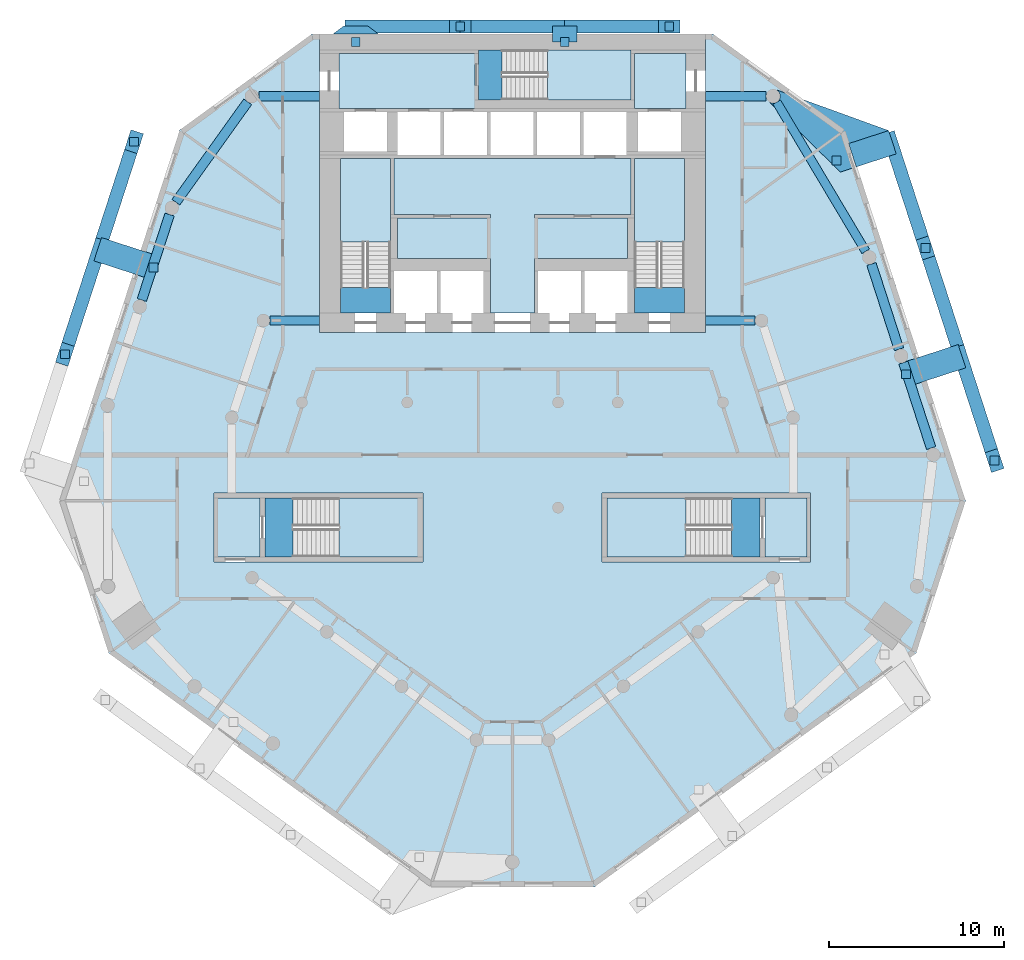
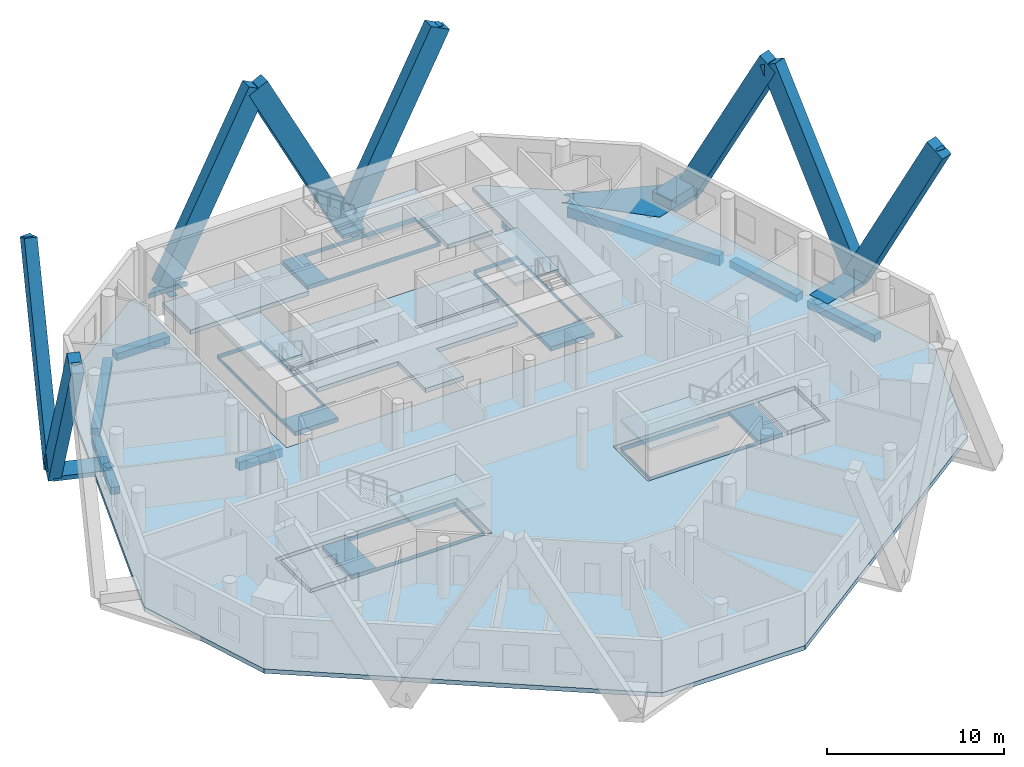
# One storey, part 2 of 10: 16 slabs, 14 members, 11 discrete accessories, 9 beams, 5 elements without a shape of their own.
"""IFC4 building model written with IfcOpenShell, lengths in metres."""

import ifcopenshell
import ifcopenshell.guid

model = None  # the IFC model being written
_history = None  # IfcOwnerHistory: only IFC2X3 demands one
_inside = {}  # id of a spatial element -> (the spatial element, [elements in it])
_under = {}  # id of a project, library or spatial element -> (it, [spatial elements below it])
_declared = {}  # id of a project -> (the project, [libraries it declares])
_typed = {}  # id of a type object -> (the type object, [elements of that type])
_made_of = {}  # id of a material, layer set ... -> (it, [elements and type objects made of it])


def new_model(schema):
    """Start an empty IFC model of exactly this schema.

    Asked for "IFC4X3", IfcOpenShell would pick the latest addendum, in which some entities
    have other attributes; the version numbers below select the first issue.
    IFC2X3 requires an IfcOwnerHistory on every rooted entity: one is made here for all.
    """
    global model, _history
    if schema == "IFC4X3":
        model = ifcopenshell.file(schema_version=(4, 3, 0, 0))
    else:
        model = ifcopenshell.file(schema=schema)
    _inside.clear()
    _under.clear()
    _declared.clear()
    _typed.clear()
    _made_of.clear()
    _history = None
    if model.schema == "IFC2X3":
        org = make("IfcOrganization", Name="unknown")
        user = make(
            "IfcPersonAndOrganization",
            ThePerson=make("IfcPerson", FamilyName="unknown"),
            TheOrganization=org,
        )
        app = make(
            "IfcApplication",
            ApplicationDeveloper=org,
            Version="unknown",
            ApplicationFullName="unknown",
            ApplicationIdentifier="unknown",
        )
        _history = make(
            "IfcOwnerHistory",
            OwningUser=user,
            OwningApplication=app,
            ChangeAction="ADDED",
            CreationDate=0,
        )
    return model


def make(cls, **values):
    """One entity of the class cls with the attributes given. An attribute that is None is left unset."""
    return model.create_entity(
        cls, **{name: value for name, value in values.items() if value is not None}
    )


def rooted(cls, **values):
    """An entity with a GlobalId (a new one), such as an element, a storey or a relation."""
    return make(cls, GlobalId=ifcopenshell.guid.new(), OwnerHistory=_history, **values)


def si_unit(unit_type, name, prefix=None):
    """IfcSIUnit, for example si_unit("LENGTHUNIT", "METRE", prefix="MILLI")."""
    return make("IfcSIUnit", UnitType=unit_type, Prefix=prefix, Name=name)


def assignment(units):
    """IfcUnitAssignment: the units of a project."""
    return None if units is None else make("IfcUnitAssignment", Units=units)


def point(xyz):
    """IfcCartesianPoint."""
    return None if xyz is None else make("IfcCartesianPoint", Coordinates=xyz)


def direction(xyz):
    """IfcDirection."""
    return None if xyz is None else make("IfcDirection", DirectionRatios=xyz)


def frame(location, z_axis=None, x_axis=None):
    """IfcAxis2Placement3D, a coordinate frame: its origin and axes. An axis left out is left unset."""
    return make(
        "IfcAxis2Placement3D",
        Location=point(location),
        Axis=direction(z_axis),
        RefDirection=direction(x_axis),
    )


def frame_2d(location, x_axis=None):
    """IfcAxis2Placement2D, a coordinate frame in the plane: its origin and x axis."""
    return make(
        "IfcAxis2Placement2D", Location=point(location), RefDirection=direction(x_axis)
    )


def origin():
    """The frame at (0, 0, 0) with its axes left unset."""
    return frame((0.0, 0.0, 0.0))


def origin_2d():
    """The frame at (0, 0) in the plane with its x axis left unset."""
    return frame_2d((0.0, 0.0))


def place(relative_to, where):
    """IfcLocalPlacement: puts the frame where relative to a parent placement (None: the world)."""
    return make(
        "IfcLocalPlacement", PlacementRelTo=relative_to, RelativePlacement=where
    )


def context(
    kind, dimensions, precision=None, world=None, true_north=None, identifier=None
):
    """IfcGeometricRepresentationContext, for example the 3D "Model" context."""
    return make(
        "IfcGeometricRepresentationContext",
        ContextIdentifier=identifier,
        ContextType=kind,
        CoordinateSpaceDimension=dimensions,
        Precision=precision,
        WorldCoordinateSystem=world,
        TrueNorth=true_north,
    )


def subcontext(parent, identifier, kind, view, scale=None):
    """IfcGeometricRepresentationSubContext, for example "Body" below "Model"."""
    return make(
        "IfcGeometricRepresentationSubContext",
        ContextIdentifier=identifier,
        ContextType=kind,
        ParentContext=parent,
        TargetScale=scale,
        TargetView=view,
    )


def project(units=None, contexts=None):
    """IfcProject with its units and contexts."""
    return rooted(
        "IfcProject",
        Name="project",
        RepresentationContexts=contexts,
        UnitsInContext=assignment(units),
    )


def spatial(cls, under=None, at=None, **own):
    """A site, building, storey or space (cls), placed at a placement, below another one or the project."""
    s = rooted(cls, ObjectPlacement=at, **own)
    if under is not None:
        _under.setdefault(under.id(), (under, []))[1].append(s)
    return s


def polyline(points):
    """IfcPolyline through the points."""
    return make("IfcPolyline", Points=[point(p) for p in points])


def profile(cls, at=None, kind="AREA", **sizes):
    """A parametric profile (cls). Its sizes go by their IFC names, for example OverallWidth=200.0."""
    return make(cls, ProfileType=kind, Position=at, **sizes)


def rectangle(**sizes):
    """IfcRectangleProfileDef."""
    return profile("IfcRectangleProfileDef", **sizes)


def outline(outer, holes=None, kind="AREA"):
    """IfcArbitraryClosedProfileDef: a profile drawn as a closed curve; with holes, ...WithVoids."""
    if holes is None:
        return make("IfcArbitraryClosedProfileDef", ProfileType=kind, OuterCurve=outer)
    return make(
        "IfcArbitraryProfileDefWithVoids",
        ProfileType=kind,
        OuterCurve=outer,
        InnerCurves=holes,
    )


def extrude(swept, where, along, depth):
    """IfcExtrudedAreaSolid: the profile swept, set in the frame where, extruded along a direction by depth."""
    return make(
        "IfcExtrudedAreaSolid",
        SweptArea=swept,
        Position=where,
        ExtrudedDirection=direction(along),
        Depth=depth,
    )


def shape(context_of_items, identifier, shape_type, items):
    """IfcShapeRepresentation: the items that make up one representation, for example the "Body"."""
    return make(
        "IfcShapeRepresentation",
        ContextOfItems=context_of_items,
        RepresentationIdentifier=identifier,
        RepresentationType=shape_type,
        Items=items,
    )


def material(Name=None, Category=None):
    """IfcMaterial."""
    return make("IfcMaterial", Name=Name, Category=Category)


def layer(
    of_material, thickness, ventilated=None, Name=None, Category=None, Priority=None
):
    """IfcMaterialLayer: one layer of a wall or slab, of a material (None: an air gap)."""
    return make(
        "IfcMaterialLayer",
        Material=of_material,
        LayerThickness=thickness,
        IsVentilated=ventilated,
        Name=Name,
        Category=Category,
        Priority=Priority,
    )


def layer_set(layers, Name=None):
    """IfcMaterialLayerSet."""
    return make("IfcMaterialLayerSet", MaterialLayers=layers, LayerSetName=Name)


def material_profile(
    of_material, cross_section, Name=None, Category=None, Priority=None
):
    """IfcMaterialProfile: a cross section and its material."""
    return make(
        "IfcMaterialProfile",
        Name=Name,
        Material=of_material,
        Profile=cross_section,
        Priority=Priority,
        Category=Category,
    )


def profile_set(profiles, Name=None, composite=None):
    """IfcMaterialProfileSet."""
    return make(
        "IfcMaterialProfileSet",
        Name=Name,
        MaterialProfiles=profiles,
        CompositeProfile=composite,
    )


def made_of(thing, what):
    """Note that an element or type object is made of a material, layer set ...; save() writes the relation."""
    if what is not None:
        _made_of.setdefault(what.id(), (what, []))[1].append(thing)
    return thing


def type_object(cls, material=None, **own):
    """A type object (cls), such as IfcWallType, which elements share."""
    return made_of(rooted(cls, **own), material)


def element(
    cls,
    number,
    at=None,
    inside=None,
    cuts=None,
    type_object=None,
    material=None,
    context=None,
    identifier="Body",
    shape_type=None,
    held_by="IfcProductDefinitionShape",
    body=None,
    shapes=None,
    **own,
):
    """One element of the class cls, such as IfcWall. Its Tag is "e" and its number.

    at: its placement. inside: the storey or other place that contains it. cuts: it is an
    opening in that element (IfcRelVoidsElement). A single representation is given by context,
    identifier, shape_type and body (its items); several are given by shapes. held_by: the class
    of the entity that holds the representations. save() writes the other relations.
    """
    e = rooted(cls, Tag="e%d" % number, ObjectPlacement=at, **own)
    if body is not None:
        shapes = [shape(context, identifier, shape_type, body)]
    if shapes is not None:
        e.Representation = make(held_by, Representations=shapes)
    if inside is not None:
        _inside.setdefault(inside.id(), (inside, []))[1].append(e)
    if cuts is not None:
        rooted(
            "IfcRelVoidsElement", RelatingBuildingElement=cuts, RelatedOpeningElement=e
        )
    if type_object is not None:
        _typed.setdefault(type_object.id(), (type_object, []))[1].append(e)
    return made_of(e, material)


def aggregate(whole, parts):
    """IfcRelAggregates: a whole, such as a stair, and the parts it consists of."""
    return rooted("IfcRelAggregates", RelatingObject=whole, RelatedObjects=parts)


def save(model, path):
    """Write the relations noted so far, then the file.

    IfcRelAggregates (storeys below a building ...), IfcRelContainedInSpatialStructure (elements
    in a storey), IfcRelDefinesByType, IfcRelAssociatesMaterial and IfcRelDeclares: one each for
    every whole, place, type object, material and project.
    """
    for whole, parts in _under.values():
        aggregate(whole, parts)
    for where, things in _inside.values():
        rooted(
            "IfcRelContainedInSpatialStructure",
            RelatedElements=things,
            RelatingStructure=where,
        )
    for kind, things in _typed.values():
        rooted("IfcRelDefinesByType", RelatedObjects=things, RelatingType=kind)
    for what, things in _made_of.values():
        rooted("IfcRelAssociatesMaterial", RelatedObjects=things, RelatingMaterial=what)
    for by, libraries in _declared.values():
        rooted("IfcRelDeclares", RelatingContext=by, RelatedDefinitions=libraries)
    model.write(path)


model = new_model("IFC4")

# Units and contexts
model_context = context("Model", 3, precision=1e-05, world=origin(), true_north=direction((0.0, 1.0)))
body_context = subcontext(model_context, "Body", "Model", "MODEL_VIEW")
ifc_project = project(units=[si_unit("LENGTHUNIT", "METRE"), si_unit("AREAUNIT", "SQUARE_METRE"), si_unit("VOLUMEUNIT", "CUBIC_METRE"), si_unit("PLANEANGLEUNIT", "RADIAN"), si_unit("MASSUNIT", "GRAM", prefix="KILO")], contexts=[model_context])

# Site, building, storey
site_placement = place(None, origin())
site = spatial("IfcSite", under=ifc_project, at=site_placement, CompositionType="ELEMENT")
building_placement = place(site_placement, origin())
building = spatial("IfcBuilding", under=site, at=building_placement, Name="White Candle Pilgrim Tower", CompositionType="ELEMENT")
storey_placement = place(building_placement, frame((0.0, 0.0, 102.5)))
storey = spatial("IfcBuildingStorey", under=building, at=storey_placement, Name="L22", CompositionType="ELEMENT", Elevation=102.5)

# Member
ifc_material_1 = material(Name="Concrete C80/95, white", Category="concrete")
ifc_material_profile_1 = material_profile(ifc_material_1, rectangle(XDim=0.75, YDim=1.35009765625, at=origin_2d()), Name="RC-DG 750x1350")
ifc_profile_set_1 = profile_set([ifc_material_profile_1], Name="Concrete C80/95, white")
member_type_1 = type_object("IfcMemberType", Name="Exoskeleton diagonal RC-DG 750x1350 C80/95", PredefinedType="BRACE", material=ifc_profile_set_1)
member_1_placement = place(storey_placement, frame((72.97900390625, 88.425048828125, 0.0), z_axis=(0.453783992732, 0.0, 0.891111714624), x_axis=(0.0, 1.0, 0.0)))
member_1 = element("IfcMember", 1, at=member_1_placement, inside=storey, type_object=member_type_1, Name="Exoskeleton diagonal EX064", PredefinedType="BRACE", context=body_context, shape_type="SweptSolid", body=[
    extrude(rectangle(XDim=0.75, YDim=1.35009765625, at=origin_2d()), origin(), (0.0, 0.0, 1.0), 13.129638671875),
])

member_2_placement = place(storey_placement, frame((72.97900390625, 88.425048828125, 0.0), z_axis=(-0.453783992732, 0.0, 0.891111714624), x_axis=(0.0, -1.0, 0.0)))
member_2 = element("IfcMember", 2, at=member_2_placement, inside=storey, type_object=member_type_1, Name="Exoskeleton diagonal EX065", PredefinedType="BRACE", context=body_context, shape_type="SweptSolid", body=[
    extrude(rectangle(XDim=0.75, YDim=1.35009765625, at=origin_2d()), origin(), (0.0, 0.0, 1.0), 13.129638671875),
])

member_3_placement = place(storey_placement, frame((61.06298828125, 88.425048828125, 0.0), z_axis=(0.453783992732, 0.0, 0.891111714624), x_axis=(0.0, 1.0, 0.0)))
element("IfcMember", 3, at=member_3_placement, inside=storey, type_object=member_type_1, Name="Exoskeleton diagonal EX066", PredefinedType="BRACE", context=body_context, shape_type="SweptSolid", body=[
    extrude(rectangle(XDim=0.75, YDim=1.35009765625, at=origin_2d()), origin(), (0.0, 0.0, 1.0), 13.129638671875),
])

member_4_placement = place(storey_placement, frame((95.552734375, 69.61376953125, 0.0), z_axis=(0.145288441021, -0.447154689821, 0.882578014839), x_axis=(0.951057094473, 0.309015214922, 0.0)))
member_4 = element("IfcMember", 4, at=member_4_placement, inside=storey, type_object=member_type_1, Name="Exoskeleton diagonal EX076", PredefinedType="BRACE", context=body_context, shape_type="SweptSolid", body=[
    extrude(rectangle(XDim=0.75, YDim=1.35009765625, at=origin_2d()), origin(), (0.0, 0.0, 1.0), 13.256591796875),
])

member_5_placement = place(storey_placement, frame((95.552734375, 69.61376953125, 0.0), z_axis=(-0.150263925664, 0.462461345301, 0.873813628153), x_axis=(-0.95105583585, -0.309019088563, 0.0)))
member_5 = element("IfcMember", 5, at=member_5_placement, inside=storey, type_object=member_type_1, Name="Exoskeleton diagonal EX077", PredefinedType="BRACE", context=body_context, shape_type="SweptSolid", body=[
    extrude(rectangle(XDim=0.75, YDim=1.35009765625, at=origin_2d()), origin(), (0.0, 0.0, 1.0), 13.3896484375),
])

member_6_placement = place(storey_placement, frame((91.590576171875, 81.80810546875, 0.0), z_axis=(0.146702363506, -0.451511968802, 0.880122354318), x_axis=(0.951058229964, 0.309011720193, 0.0)))
element("IfcMember", 6, at=member_6_placement, inside=storey, type_object=member_type_1, Name="Exoskeleton diagonal EX078", PredefinedType="BRACE", context=body_context, shape_type="SweptSolid", body=[
    extrude(rectangle(XDim=0.75, YDim=1.35009765625, at=origin_2d()), origin(), (0.0, 0.0, 1.0), 13.29345703125),
])

member_7_placement = place(storey_placement, frame((46.42822265625, 75.7109375, 0.0), z_axis=(0.149566456873, 0.4603126372, 0.875066940875), x_axis=(-0.951055414426, 0.309020385559, 0.0)))
member_7 = element("IfcMember", 7, at=member_7_placement, inside=storey, type_object=member_type_1, Name="Exoskeleton diagonal EX112", PredefinedType="BRACE", context=body_context, shape_type="SweptSolid", body=[
    extrude(rectangle(XDim=0.75, YDim=1.35009765625, at=origin_2d()), origin(), (0.0, 0.0, 1.0), 13.370361328125),
])

member_8_placement = place(storey_placement, frame((46.42822265625, 75.7109375, 0.0), z_axis=(-0.145988483861, -0.449331146094, 0.881356275141), x_axis=(0.951061527242, -0.309001571842, 0.0)))
member_8 = element("IfcMember", 8, at=member_8_placement, inside=storey, type_object=member_type_1, Name="Exoskeleton diagonal EX113", PredefinedType="BRACE", context=body_context, shape_type="SweptSolid", body=[
    extrude(rectangle(XDim=0.75, YDim=1.35009765625, at=origin_2d()), origin(), (0.0, 0.0, 1.0), 13.27490234375),
])

ifc_material_2 = material(Name="Concrete C70/85, white", Category="concrete")
ifc_layer_1 = layer(ifc_material_2, 0.300048828125)
ifc_layer_set_1 = layer_set([ifc_layer_1], Name="Node tie strut 3350x1400x300 C70/85")
member_type_2 = type_object("IfcMemberType", Name="Node tie strut 3350x1400x300 C70/85", PredefinedType="STRUT", material=ifc_layer_set_1)
member_9_placement = place(storey_placement, frame((94.031005859375, 69.119140625, -0.2998046875), z_axis=(0.0, 0.0, 1.0), x_axis=(-0.309016994375, 0.951056516295, 0.0)))
member_9 = element("IfcMember", 9, at=member_9_placement, inside=storey, type_object=member_type_2, Name="Node tie strut NC061", PredefinedType="STRUT", context=body_context, shape_type="SweptSolid", body=[
    extrude(rectangle(XDim=1.39990234375, YDim=3.35009765625, at=origin_2d()), origin(), (0.0, 0.0, 1.0), 0.300048828125),
])

member_10_placement = place(storey_placement, frame((0.0, 0.0, -0.35009765625)))
member_10 = element("IfcMember", 10, at=member_10_placement, inside=storey, type_object=member_type_2, Name="Node tie strut NC062", PredefinedType="STRUT", context=body_context, shape_type="SweptSolid", body=[
    extrude(outline(polyline([(88.692138671875, 80.130615234375), (91.878173828125, 81.165771484375), (91.445556640625, 82.4970703125), (84.988525390625, 84.8388671875), (85.01318359375, 84.82958984375), (85.036865234375, 84.818603515625), (85.06005859375, 84.806396484375), (85.082275390625, 84.79248046875), (85.103515625, 84.77734375), (85.123779296875, 84.7607421875), (85.142822265625, 84.742919921875), (85.16064453125, 84.7236328125), (85.17724609375, 84.70361328125), (85.192626953125, 84.68212890625), (85.206298828125, 84.659912109375), (85.21875, 84.636962890625), (85.2294921875, 84.613037109375), (85.23876953125, 84.588623046875), (85.246337890625, 84.5634765625), (85.252197265625, 84.5380859375), (85.256591796875, 84.51220703125), (85.259033203125, 84.486083984375), (85.260009765625, 84.4599609375), (85.259033203125, 84.433837890625), (85.256591796875, 84.40771484375), (85.252197265625, 84.382080078125), (85.246337890625, 84.3564453125), (85.23876953125, 84.331298828125), (85.2294921875, 84.306884765625), (85.21875, 84.283203125), (85.206298828125, 84.260009765625), (85.192626953125, 84.23779296875), (85.17724609375, 84.216552734375), (85.16064453125, 84.1962890625), (85.142822265625, 84.17724609375), (85.123779296875, 84.1591796875), (85.103515625, 84.142578125), (85.082275390625, 84.12744140625), (85.06005859375, 84.113525390625), (85.036865234375, 84.101318359375), (85.01318359375, 84.09033203125), (84.988525390625, 84.081298828125), (84.96337890625, 84.073486328125), (84.93798828125, 84.067626953125), (84.912109375, 84.0634765625), (84.88623046875, 84.060791015625), (84.860107421875, 84.06005859375), (84.833740234375, 84.060791015625), (84.807861328125, 84.0634765625), (84.781982421875, 84.067626953125), (84.756591796875, 84.073486328125), (84.7314453125, 84.081298828125), (84.706787109375, 84.09033203125), (84.68310546875, 84.101318359375), (84.659912109375, 84.113525390625), (84.6376953125, 84.12744140625), (84.616455078125, 84.142578125), (84.59619140625, 84.1591796875), (84.5771484375, 84.17724609375), (88.692138671875, 80.130615234375)])), origin(), (0.0, 0.0, 1.0), 0.35009765625),
])

member_11_placement = place(storey_placement, origin())
element("IfcMember", 11, at=member_11_placement, inside=storey, type_object=member_type_2, Name="Node tie strut NC062", PredefinedType="STRUT", context=body_context, shape_type="SweptSolid", body=[
    extrude(outline(polyline([(89.595703125, 80.424072265625), (91.878173828125, 81.165771484375), (91.445556640625, 82.4970703125), (89.1630859375, 81.755615234375), (89.595703125, 80.424072265625)])), origin(), (0.0, 0.0, 1.0), 0.64990234375),
])

member_12_placement = place(storey_placement, frame((47.949951171875, 75.216552734375, -0.2998046875), z_axis=(0.0, 0.0, 1.0), x_axis=(-0.309016994375, -0.951056516295, 0.0)))
member_12 = element("IfcMember", 12, at=member_12_placement, inside=storey, type_object=member_type_2, Name="Node tie strut NC069", PredefinedType="STRUT", context=body_context, shape_type="SweptSolid", body=[
    extrude(rectangle(XDim=1.39990234375, YDim=3.35009765625, at=origin_2d()), origin(), (0.0, 0.0, 1.0), 0.300048828125),
])

ifc_layer_2 = layer(ifc_material_2, 0.300048828125)
ifc_layer_set_2 = layer_set([ifc_layer_2], Name="Node tie strut 900x1400x300 C70/85")
member_type_3 = type_object("IfcMemberType", Name="Node tie strut 900x1400x300 C70/85", PredefinedType="STRUT", material=ifc_layer_set_2)
member_13_placement = place(storey_placement, frame((72.97900390625, 88.0, -0.2998046875), z_axis=(0.0, 0.0, 1.0), x_axis=(-1.0, 0.0, 0.0)))
member_13 = element("IfcMember", 13, at=member_13_placement, inside=storey, type_object=member_type_3, Name="Node tie strut NC063", PredefinedType="STRUT", context=body_context, shape_type="SweptSolid", body=[
    extrude(rectangle(XDim=1.39990234375, YDim=0.89990234375, at=origin_2d()), origin(), (0.0, 0.0, 1.0), 0.300048828125),
])

member_14_placement = place(storey_placement, frame((0.0, 0.0, -0.300048828125)))
member_14 = element("IfcMember", 14, at=member_14_placement, inside=storey, type_object=member_type_3, Name="Node tie strut NC064", PredefinedType="STRUT", context=body_context, shape_type="SweptSolid", body=[
    extrude(outline(polyline([(59.762939453125, 88.0), (62.363037109375, 88.0), (61.762939453125, 88.449951171875), (60.363037109375, 88.449951171875), (59.762939453125, 88.0)])), origin(), (0.0, 0.0, 1.0), 0.300048828125),
])

# Beams
ifc_material_3 = material(Name="Concrete C50/60", Category="concrete")
ifc_material_profile_2 = material_profile(ifc_material_3, rectangle(XDim=0.5, YDim=0.60009765625, at=origin_2d()), Name="RC-BM 500x600")
ifc_profile_set_2 = profile_set([ifc_material_profile_2], Name="Concrete C50/60")
beam_type_1 = type_object("IfcBeamType", Name="Ring beam RC-BM 500x600 C50/60", PredefinedType="BEAM", material=ifc_profile_set_2)
for number, where, z_axis, x_axis, name in (
    (15, (83.824951171875, 71.669921875, -0.60009765625), (-1.0, 0.0, 0.0), (0.0, -1.0, 0.0), "L22 ring beam R10"),
    (16, (56.175048828125, 71.669921875, -0.60009765625), (1.0, 0.0, 0.0), (0.0, 1.0, 0.0), "L22 ring beam R11"),
):
    element("IfcBeam", number, at=place(storey_placement, frame(where, z_axis=z_axis, x_axis=x_axis)), inside=storey, type_object=beam_type_1, Name=name, PredefinedType="BEAM", context=body_context, shape_type="SweptSolid", body=[
        extrude(rectangle(XDim=0.5, YDim=0.60009765625, at=origin_2d()), origin(), (0.0, 0.0, 1.0), 2.824951171875),
    ])
ifc_material_profile_3 = material_profile(ifc_material_3, rectangle(XDim=0.5, YDim=0.699951171875, at=origin_2d()), Name="RC-BM 500x700")
ifc_profile_set_3 = profile_set([ifc_material_profile_3], Name="Concrete C50/60")
beam_type_2 = type_object("IfcBeamType", Name="Spandrel beam RC-BM 500x700 C50/60", PredefinedType="BEAM", material=ifc_profile_set_3)
beam_1_placement = place(storey_placement, frame((90.13525390625, 75.61328125, -0.64990234375), z_axis=(-0.51215480768, 0.858893155736, 0.0), x_axis=(-0.858893155736, -0.51215480768, 0.0)))
element("IfcBeam", 17, at=beam_1_placement, inside=storey, type_object=beam_type_2, Name="L22 spandrel beam T08", PredefinedType="BEAM", context=body_context, shape_type="SweptSolid", body=[
    extrude(rectangle(XDim=0.5, YDim=0.699951171875, at=origin_2d()), origin(), (0.0, 0.0, 1.0), 9.900390625),
])
ifc_material_profile_4 = material_profile(ifc_material_3, rectangle(XDim=0.550048828125, YDim=0.5, at=origin_2d()), Name="RC-BM 550x500")
ifc_profile_set_4 = profile_set([ifc_material_profile_4], Name="Concrete C50/60")
beam_type_3 = type_object("IfcBeamType", Name="Spandrel beam RC-BM 550x500 C50/60", PredefinedType="BEAM", material=ifc_profile_set_4)
beam_2_placement = place(storey_placement, frame((93.866455078125, 64.400390625, -0.550048828125), z_axis=(-0.309123808161, 0.95102180376, 0.0), x_axis=(-0.95102180376, -0.309123808161, 0.0)))
element("IfcBeam", 18, at=beam_2_placement, inside=storey, type_object=beam_type_3, Name="L22 spandrel beam T06", PredefinedType="BEAM", context=body_context, shape_type="SweptSolid", body=[
    extrude(rectangle(XDim=0.550048828125, YDim=0.5, at=origin_2d()), origin(), (0.0, 0.0, 1.0), 5.1201171875),
])
beam_3_placement = place(storey_placement, frame((92.036865234375, 70.030517578125, -0.550048828125), z_axis=(-0.308114253226, 0.951349361149, 0.0), x_axis=(-0.951349361149, -0.308114253226, 0.0)))
element("IfcBeam", 19, at=beam_3_placement, inside=storey, type_object=beam_type_3, Name="L22 spandrel beam T07", PredefinedType="BEAM", context=body_context, shape_type="SweptSolid", body=[
    extrude(rectangle(XDim=0.550048828125, YDim=0.5, at=origin_2d()), origin(), (0.0, 0.0, 1.0), 5.107666015625),
])
for number, where, z_axis, x_axis, name in (
    (20, (84.4599609375, 84.4599609375, -0.550048828125), (-1.0, 0.0, 0.0), (0.0, -1.0, 0.0), "L22 spandrel beam T09"),
    (21, (55.5400390625, 84.4599609375, -0.550048828125), (1.0, 0.0, 0.0), (0.0, 1.0, 0.0), "L22 spandrel beam T10"),
):
    element("IfcBeam", number, at=place(storey_placement, frame(where, z_axis=z_axis, x_axis=x_axis)), inside=storey, type_object=beam_type_3, Name=name, PredefinedType="BEAM", context=body_context, shape_type="SweptSolid", body=[
        extrude(rectangle(XDim=0.550048828125, YDim=0.5, at=origin_2d()), origin(), (0.0, 0.0, 1.0), 3.4599609375),
    ])
beam_4_placement = place(storey_placement, frame((54.9072265625, 84.135009765625, -0.550048828125), z_axis=(-0.582065224797, -0.813142099563, 0.0), x_axis=(0.813142099563, -0.582065224797, 0.0)))
element("IfcBeam", 22, at=beam_4_placement, inside=storey, type_object=beam_type_3, Name="L22 spandrel beam T11", PredefinedType="BEAM", context=body_context, shape_type="SweptSolid", body=[
    extrude(rectangle(XDim=0.550048828125, YDim=0.5, at=origin_2d()), origin(), (0.0, 0.0, 1.0), 7.034423828125),
])
beam_5_placement = place(storey_placement, frame((50.456298828125, 77.709716796875, -0.550048828125), z_axis=(-0.309123808161, -0.95102180376, 0.0), x_axis=(0.95102180376, -0.309123808161, 0.0)))
element("IfcBeam", 23, at=beam_5_placement, inside=storey, type_object=beam_type_3, Name="L22 spandrel beam T12", PredefinedType="BEAM", context=body_context, shape_type="SweptSolid", body=[
    extrude(rectangle(XDim=0.550048828125, YDim=0.5, at=origin_2d()), origin(), (0.0, 0.0, 1.0), 5.1201171875),
])

# Slabs
ifc_material_4 = material(Name="Concrete C40/50", Category="concrete")
ifc_layer_3 = layer(ifc_material_4, 0.300048828125)
ifc_layer_set_3 = layer_set([ifc_layer_3], Name="Core floor slab 300 mm Concrete C40/50")
slab_type_1 = type_object("IfcSlabType", Name="Core floor slab 300 mm Concrete C40/50", PredefinedType="FLOOR", material=ifc_layer_set_3)
slab_1_placement = place(storey_placement, frame((0.0, 0.0, -0.300048828125)))
element("IfcSlab", 24, at=slab_1_placement, inside=storey, type_object=slab_type_1, Name="CF-L22-01", PredefinedType="FLOOR", context=body_context, shape_type="SweptSolid", body=[
    extrude(outline(polyline([(55.60009765625, 58.199951171875), (53.199951171875, 58.199951171875), (53.199951171875, 61.550048828125), (55.60009765625, 61.550048828125), (55.60009765625, 58.199951171875)])), origin(), (0.0, 0.0, 1.0), 0.300048828125),
])
slab_2_placement = place(storey_placement, frame((0.0, 0.0, -0.300048828125)))
element("IfcSlab", 25, at=slab_2_placement, inside=storey, type_object=slab_type_1, Name="CF-L22-02", PredefinedType="FLOOR", context=body_context, shape_type="SweptSolid", body=[
    extrude(outline(polyline([(55.89990234375, 58.199951171875), (55.89990234375, 61.550048828125), (64.60009765625, 61.550048828125), (64.60009765625, 58.199951171875), (55.89990234375, 58.199951171875)]), holes=[polyline([(57.501953125, 61.548095703125), (57.501953125, 58.201904296875), (64.597900390625, 58.201904296875), (64.597900390625, 61.548095703125), (57.501953125, 61.548095703125)])]), origin(), (0.0, 0.0, 1.0), 0.300048828125),
])
slab_3_placement = place(storey_placement, frame((0.0, 0.0, -0.300048828125)))
element("IfcSlab", 26, at=slab_3_placement, inside=storey, type_object=slab_type_1, Name="CF-L22-03", PredefinedType="FLOOR", context=body_context, shape_type="SweptSolid", body=[
    extrude(outline(polyline([(75.39990234375, 58.199951171875), (75.39990234375, 61.550048828125), (84.10009765625, 61.550048828125), (84.10009765625, 58.199951171875), (75.39990234375, 58.199951171875)]), holes=[polyline([(82.498046875, 58.201904296875), (82.498046875, 61.548095703125), (75.402099609375, 61.548095703125), (75.402099609375, 58.201904296875), (82.498046875, 58.201904296875)])]), origin(), (0.0, 0.0, 1.0), 0.300048828125),
])
slab_4_placement = place(storey_placement, frame((0.0, 0.0, -0.300048828125)))
element("IfcSlab", 27, at=slab_4_placement, inside=storey, type_object=slab_type_1, Name="CF-L22-04", PredefinedType="FLOOR", context=body_context, shape_type="SweptSolid", body=[
    extrude(outline(polyline([(86.800048828125, 58.199951171875), (84.39990234375, 58.199951171875), (84.39990234375, 61.550048828125), (86.800048828125, 61.550048828125), (86.800048828125, 58.199951171875)])), origin(), (0.0, 0.0, 1.0), 0.300048828125),
])
slab_5_placement = place(storey_placement, frame((0.0, 0.0, -0.300048828125)))
element("IfcSlab", 28, at=slab_5_placement, inside=storey, type_object=slab_type_1, Name="CF-L22-05", PredefinedType="FLOOR", context=body_context, shape_type="SweptSolid", body=[
    extrude(outline(polyline([(76.75, 87.10009765625), (76.75, 86.89990234375), (76.75, 84.25), (68.050048828125, 84.25), (68.050048828125, 86.89990234375), (68.050048828125, 87.10009765625), (76.75, 87.10009765625)]), holes=[polyline([(69.402099609375, 87.097900390625), (69.402099609375, 84.251953125), (76.748046875, 84.251953125), (76.748046875, 87.097900390625), (69.402099609375, 87.097900390625)])]), origin(), (0.0, 0.0, 1.0), 0.300048828125),
])
slab_6_placement = place(storey_placement, frame((0.0, 0.0, -0.300048828125)))
element("IfcSlab", 29, at=slab_6_placement, inside=storey, type_object=slab_type_1, Name="CF-L22-06", PredefinedType="FLOOR", context=body_context, shape_type="SweptSolid", body=[
    extrude(outline(polyline([(79.89990234375, 86.89990234375), (79.89990234375, 83.75), (76.949951171875, 83.75), (76.949951171875, 84.25), (76.949951171875, 86.89990234375), (79.89990234375, 86.89990234375)])), origin(), (0.0, 0.0, 1.0), 0.300048828125),
])
slab_7_placement = place(storey_placement, frame((0.0, 0.0, -0.300048828125)))
element("IfcSlab", 30, at=slab_7_placement, inside=storey, type_object=slab_type_1, Name="CF-L22-07", PredefinedType="FLOOR", context=body_context, shape_type="SweptSolid", body=[
    extrude(outline(polyline([(76.949951171875, 72.10009765625), (76.949951171875, 74.5), (76.949951171875, 75.199951171875), (76.949951171875, 77.5), (76.949951171875, 77.699951171875), (76.949951171875, 80.89990234375), (79.800048828125, 80.89990234375), (79.800048828125, 72.10009765625), (76.949951171875, 72.10009765625)]), holes=[polyline([(76.951904296875, 73.552001953125), (79.798095703125, 73.552001953125), (79.798095703125, 80.89794921875), (76.951904296875, 80.89794921875), (76.951904296875, 73.552001953125)])]), origin(), (0.0, 0.0, 1.0), 0.300048828125),
])
slab_8_placement = place(storey_placement, frame((0.0, 0.0, -0.300048828125)))
element("IfcSlab", 31, at=slab_8_placement, inside=storey, type_object=slab_type_1, Name="CF-L22-08", PredefinedType="FLOOR", context=body_context, shape_type="SweptSolid", body=[
    extrude(outline(polyline([(68.75, 72.10009765625), (68.75, 74.5), (68.75, 75.199951171875), (63.449951171875, 75.199951171875), (63.449951171875, 77.5), (68.75, 77.5), (68.75, 77.699951171875), (63.25, 77.699951171875), (63.25, 80.89990234375), (76.75, 80.89990234375), (76.75, 77.699951171875), (71.25, 77.699951171875), (71.25, 77.5), (76.550048828125, 77.5), (76.550048828125, 75.199951171875), (71.25, 75.199951171875), (71.25, 74.5), (71.25, 72.10009765625), (68.75, 72.10009765625)])), origin(), (0.0, 0.0, 1.0), 0.300048828125),
])
slab_9_placement = place(storey_placement, frame((0.0, 0.0, -0.300048828125)))
element("IfcSlab", 32, at=slab_9_placement, inside=storey, type_object=slab_type_1, Name="CF-L22-09", PredefinedType="FLOOR", context=body_context, shape_type="SweptSolid", body=[
    extrude(outline(polyline([(60.199951171875, 72.10009765625), (60.199951171875, 80.89990234375), (63.050048828125, 80.89990234375), (63.050048828125, 77.699951171875), (63.050048828125, 77.5), (63.050048828125, 75.199951171875), (63.050048828125, 74.5), (63.050048828125, 72.10009765625), (60.199951171875, 72.10009765625)]), holes=[polyline([(60.201904296875, 73.552001953125), (63.048095703125, 73.552001953125), (63.048095703125, 80.89794921875), (60.201904296875, 80.89794921875), (60.201904296875, 73.552001953125)])]), origin(), (0.0, 0.0, 1.0), 0.300048828125),
])
slab_10_placement = place(storey_placement, frame((0.0, 0.0, -0.300048828125)))
element("IfcSlab", 33, at=slab_10_placement, inside=storey, type_object=slab_type_1, Name="CF-L22-10", PredefinedType="FLOOR", context=body_context, shape_type="SweptSolid", body=[
    extrude(outline(polyline([(60.10009765625, 86.89990234375), (67.85009765625, 86.89990234375), (67.85009765625, 84.25), (67.85009765625, 83.75), (60.10009765625, 83.75), (60.10009765625, 86.89990234375)])), origin(), (0.0, 0.0, 1.0), 0.300048828125),
])
ifc_layer_4 = layer(ifc_material_4, 0.300048828125)
ifc_layer_set_4 = layer_set([ifc_layer_4], Name="Floor slab 300 REI 120")
slab_type_2 = type_object("IfcSlabType", Name="Floor slab 300 REI 120", PredefinedType="FLOOR", material=ifc_layer_set_4)
slab_11_placement = place(storey_placement, frame((0.0, 0.0, -0.300048828125)))
element("IfcSlab", 34, at=slab_11_placement, inside=storey, type_object=slab_type_2, Name="L22 floor slab", PredefinedType="FLOOR", context=body_context, shape_type="SweptSolid", body=[
    extrude(outline(polyline([(65.31689453125, 39.385009765625), (74.68310546875, 39.385009765625), (93.011962890625, 52.701904296875), (95.833740234375, 61.38671875), (88.96337890625, 82.53173828125), (81.43701171875, 88.0), (81.0, 88.0), (81.0, 71.0), (59.0, 71.0), (59.0, 88.0), (58.56298828125, 88.0), (51.03662109375, 82.53173828125), (44.166259765625, 61.38671875), (46.98828125, 52.701904296875), (65.31689453125, 39.385009765625)]), holes=[polyline([(53.0, 57.89990234375), (53.0, 61.85009765625), (64.89990234375, 61.85009765625), (64.89990234375, 57.89990234375), (53.0, 57.89990234375)]), polyline([(75.10009765625, 57.89990234375), (75.10009765625, 61.85009765625), (87.0, 61.85009765625), (87.0, 57.89990234375), (75.10009765625, 57.89990234375)])]), origin(), (0.0, 0.0, 1.0), 0.300048828125),
])

# Stair, slab
stair_type_1 = type_object("IfcStairType", Name="Exit stair 1 flight width 1350 mm", PredefinedType="HALF_TURN_STAIR", material=ifc_material_4)
stair_1_placement = place(storey_placement, origin())
stair_1 = element("IfcStair", 35, at=stair_1_placement, inside=storey, type_object=stair_type_1, Name="L22 stair 1", PredefinedType="NOTDEFINED")
ifc_layer_5 = layer(ifc_material_4, 0.199951171875)
ifc_layer_set_5 = layer_set([ifc_layer_5], Name="Stair landing Concrete C40/50")
slab_type_3 = type_object("IfcSlabType", Name="Stair landing Concrete C40/50", PredefinedType="LANDING", material=ifc_layer_set_5)
slab_12_placement = place(storey_placement, frame((0.0, 0.0, 1.75)))
slab_12 = element("IfcSlab", 36, at=slab_12_placement, type_object=slab_type_3, Name="ST1 landing 1", PredefinedType="LANDING", context=body_context, shape_type="SweptSolid", body=[
    extrude(outline(polyline([(63.052001953125, 76.14794921875), (60.197998046875, 76.14794921875), (60.197998046875, 80.902099609375), (63.052001953125, 80.902099609375), (63.052001953125, 76.14794921875)])), origin(), (0.0, 0.0, 1.0), 0.199951171875),
])
aggregate(stair_1, [slab_12])

stair_type_2 = type_object("IfcStairType", Name="Exit stair 2 flight width 1350 mm", PredefinedType="HALF_TURN_STAIR", material=ifc_material_4)
stair_2_placement = place(storey_placement, origin())
stair_2 = element("IfcStair", 37, at=stair_2_placement, inside=storey, type_object=stair_type_2, Name="L22 stair 2", PredefinedType="NOTDEFINED")
slab_13_placement = place(storey_placement, frame((0.0, 0.0, 1.75)))
slab_13 = element("IfcSlab", 38, at=slab_13_placement, type_object=slab_type_3, Name="ST2 landing 1", PredefinedType="LANDING", context=body_context, shape_type="SweptSolid", body=[
    extrude(outline(polyline([(79.802001953125, 76.14794921875), (76.947998046875, 76.14794921875), (76.947998046875, 80.902099609375), (79.802001953125, 80.902099609375), (79.802001953125, 76.14794921875)])), origin(), (0.0, 0.0, 1.0), 0.199951171875),
])
aggregate(stair_2, [slab_13])

stair_type_3 = type_object("IfcStairType", Name="Exit stair 3 flight width 1350 mm", PredefinedType="HALF_TURN_STAIR", material=ifc_material_4)
stair_3_placement = place(storey_placement, origin())
stair_3 = element("IfcStair", 39, at=stair_3_placement, inside=storey, type_object=stair_type_3, Name="L22 stair 3", PredefinedType="NOTDEFINED")
slab_14_placement = place(storey_placement, frame((0.0, 0.0, 1.75)))
slab_14 = element("IfcSlab", 40, at=slab_14_placement, type_object=slab_type_3, Name="ST3 landing 1", PredefinedType="LANDING", context=body_context, shape_type="SweptSolid", body=[
    extrude(outline(polyline([(71.998046875, 84.248046875), (71.998046875, 87.10205078125), (76.751953125, 87.10205078125), (76.751953125, 84.248046875), (71.998046875, 84.248046875)])), origin(), (0.0, 0.0, 1.0), 0.199951171875),
])
aggregate(stair_3, [slab_14])

stair_type_4 = type_object("IfcStairType", Name="Exit stair 4 flight width 1600 mm", PredefinedType="HALF_TURN_STAIR", material=ifc_material_4)
stair_4_placement = place(storey_placement, origin())
stair_4 = element("IfcStair", 41, at=stair_4_placement, inside=storey, type_object=stair_type_4, Name="L22 stair 4", PredefinedType="NOTDEFINED")
slab_15_placement = place(storey_placement, frame((0.0, 0.0, 1.75)))
slab_15 = element("IfcSlab", 42, at=slab_15_placement, type_object=slab_type_3, Name="ST4 landing 1", PredefinedType="LANDING", context=body_context, shape_type="SweptSolid", body=[
    extrude(outline(polyline([(79.902099609375, 61.552001953125), (79.902099609375, 58.197998046875), (75.39794921875, 58.197998046875), (75.39794921875, 61.552001953125), (79.902099609375, 61.552001953125)])), origin(), (0.0, 0.0, 1.0), 0.199951171875),
])
aggregate(stair_4, [slab_15])

stair_type_5 = type_object("IfcStairType", Name="Exit stair 5 flight width 1600 mm", PredefinedType="HALF_TURN_STAIR", material=ifc_material_4)
stair_5_placement = place(storey_placement, origin())
stair_5 = element("IfcStair", 43, at=stair_5_placement, inside=storey, type_object=stair_type_5, Name="L22 stair 5", PredefinedType="NOTDEFINED")
slab_16_placement = place(storey_placement, frame((0.0, 0.0, 1.75)))
slab_16 = element("IfcSlab", 44, at=slab_16_placement, type_object=slab_type_3, Name="ST5 landing 1", PredefinedType="LANDING", context=body_context, shape_type="SweptSolid", body=[
    extrude(outline(polyline([(60.097900390625, 58.197998046875), (60.097900390625, 61.552001953125), (64.60205078125, 61.552001953125), (64.60205078125, 58.197998046875), (60.097900390625, 58.197998046875)])), origin(), (0.0, 0.0, 1.0), 0.199951171875),
])
aggregate(stair_5, [slab_16])

# Discrete accessory
ifc_material_5 = material(Name="Steel S355", Category="steel")
ifc_layer_6 = layer(ifc_material_5, 0.02490234375)
ifc_layer_set_6 = layer_set([ifc_layer_6], Name="Gusset plate 500x500x25 S355")
discrete_accessory_type = type_object("IfcDiscreteAccessoryType", Name="Gusset plate 500x500x25 S355", PredefinedType="BRACKET", material=ifc_layer_set_6)
placement = place(building_placement, frame((0.0, 0.0, 114.199951171875)))
discrete_accessory_1_placement = place(placement, frame((78.93701171875, 88.425048828125, -0.012451171875), z_axis=(0.0, 0.0, 1.0), x_axis=(1.0, 0.0, 0.0)))
discrete_accessory_1 = element("IfcDiscreteAccessory", 45, at=discrete_accessory_1_placement, type_object=discrete_accessory_type, Name="Gusset plate 0073", PredefinedType="BRACKET", context=body_context, shape_type="SweptSolid", body=[
    extrude(rectangle(XDim=0.5, YDim=0.5, at=origin_2d()), origin(), (0.0, 0.0, 1.0), 0.02490234375),
])

aggregate(member_1, [discrete_accessory_1])

discrete_accessory_2_placement = place(placement, frame((67.02099609375, 88.425048828125, -0.012451171875), z_axis=(0.0, 0.0, 1.0), x_axis=(1.0, 0.0, 0.0)))
discrete_accessory_2 = element("IfcDiscreteAccessory", 46, at=discrete_accessory_2_placement, type_object=discrete_accessory_type, Name="Gusset plate 0074", PredefinedType="BRACKET", context=body_context, shape_type="SweptSolid", body=[
    extrude(rectangle(XDim=0.5, YDim=0.5, at=origin_2d()), origin(), (0.0, 0.0, 1.0), 0.02490234375),
])

aggregate(member_2, [discrete_accessory_2])

discrete_accessory_3_placement = place(placement, frame((97.478759765625, 63.68603515625, -0.012451171875), z_axis=(0.0, 0.0, 1.0), x_axis=(1.0, 0.0, 0.0)))
discrete_accessory_3 = element("IfcDiscreteAccessory", 47, at=discrete_accessory_3_placement, type_object=discrete_accessory_type, Name="Gusset plate 0083", PredefinedType="BRACKET", context=body_context, shape_type="SweptSolid", body=[
    extrude(rectangle(XDim=0.5, YDim=0.5, at=origin_2d()), origin(), (0.0, 0.0, 1.0), 0.02490234375),
])

aggregate(member_4, [discrete_accessory_3])

discrete_accessory_4_placement = place(placement, frame((93.540771484375, 75.805908203125, -0.012451171875), z_axis=(0.0, 0.0, 1.0), x_axis=(1.0, 0.0, 0.0)))
discrete_accessory_4 = element("IfcDiscreteAccessory", 48, at=discrete_accessory_4_placement, type_object=discrete_accessory_type, Name="Gusset plate 0084", PredefinedType="BRACKET", context=body_context, shape_type="SweptSolid", body=[
    extrude(rectangle(XDim=0.5, YDim=0.5, at=origin_2d()), origin(), (0.0, 0.0, 1.0), 0.02490234375),
])

aggregate(member_5, [discrete_accessory_4])

discrete_accessory_5_placement = place(placement, frame((48.427978515625, 81.865478515625, -0.012451171875), z_axis=(0.0, 0.0, 1.0), x_axis=(1.0, 0.0, 0.0)))
discrete_accessory_5 = element("IfcDiscreteAccessory", 49, at=discrete_accessory_5_placement, type_object=discrete_accessory_type, Name="Gusset plate 0126", PredefinedType="BRACKET", context=body_context, shape_type="SweptSolid", body=[
    extrude(rectangle(XDim=0.5, YDim=0.5, at=origin_2d()), origin(), (0.0, 0.0, 1.0), 0.02490234375),
])

aggregate(member_7, [discrete_accessory_5])

discrete_accessory_6_placement = place(placement, frame((44.490234375, 69.74609375, -0.012451171875), z_axis=(0.0, 0.0, 1.0), x_axis=(1.0, 0.0, 0.0)))
discrete_accessory_6 = element("IfcDiscreteAccessory", 50, at=discrete_accessory_6_placement, type_object=discrete_accessory_type, Name="Gusset plate 0127", PredefinedType="BRACKET", context=body_context, shape_type="SweptSolid", body=[
    extrude(rectangle(XDim=0.5, YDim=0.5, at=origin_2d()), origin(), (0.0, 0.0, 1.0), 0.02490234375),
])

aggregate(member_8, [discrete_accessory_6])

discrete_accessory_7_placement = place(storey_placement, frame((92.43798828125, 68.6015625, -0.162353515625), z_axis=(0.0, 0.0, 1.0), x_axis=(1.0, 0.0, 0.0)))
discrete_accessory_7 = element("IfcDiscreteAccessory", 51, at=discrete_accessory_7_placement, type_object=discrete_accessory_type, Name="Gusset plate 0442", PredefinedType="BRACKET", context=body_context, shape_type="SweptSolid", body=[
    extrude(rectangle(XDim=0.5, YDim=0.5, at=origin_2d()), origin(), (0.0, 0.0, 1.0), 0.02490234375),
])

aggregate(member_9, [discrete_accessory_7])

discrete_accessory_8_placement = place(storey_placement, frame((88.475830078125, 80.796142578125, -0.162353515625), z_axis=(0.0, 0.0, 1.0), x_axis=(1.0, 0.0, 0.0)))
discrete_accessory_8 = element("IfcDiscreteAccessory", 52, at=discrete_accessory_8_placement, type_object=discrete_accessory_type, Name="Gusset plate 0443", PredefinedType="BRACKET", context=body_context, shape_type="SweptSolid", body=[
    extrude(rectangle(XDim=0.5, YDim=0.5, at=origin_2d()), origin(), (0.0, 0.0, 1.0), 0.02490234375),
])

aggregate(member_10, [discrete_accessory_8])

discrete_accessory_9_placement = place(storey_placement, frame((72.97900390625, 87.550048828125, -0.162353515625), z_axis=(0.0, 0.0, 1.0), x_axis=(1.0, 0.0, 0.0)))
discrete_accessory_9 = element("IfcDiscreteAccessory", 53, at=discrete_accessory_9_placement, type_object=discrete_accessory_type, Name="Gusset plate 0444", PredefinedType="BRACKET", context=body_context, shape_type="SweptSolid", body=[
    extrude(rectangle(XDim=0.5, YDim=0.5, at=origin_2d()), origin(), (0.0, 0.0, 1.0), 0.02490234375),
])

aggregate(member_13, [discrete_accessory_9])

discrete_accessory_10_placement = place(storey_placement, frame((61.06298828125, 87.550048828125, -0.162353515625), z_axis=(0.0, 0.0, 1.0), x_axis=(1.0, 0.0, 0.0)))
discrete_accessory_10 = element("IfcDiscreteAccessory", 54, at=discrete_accessory_10_placement, type_object=discrete_accessory_type, Name="Gusset plate 0445", PredefinedType="BRACKET", context=body_context, shape_type="SweptSolid", body=[
    extrude(rectangle(XDim=0.5, YDim=0.5, at=origin_2d()), origin(), (0.0, 0.0, 1.0), 0.02490234375),
])

aggregate(member_14, [discrete_accessory_10])

discrete_accessory_11_placement = place(storey_placement, frame((49.54296875, 74.698974609375, -0.162353515625), z_axis=(0.0, 0.0, 1.0), x_axis=(1.0, 0.0, 0.0)))
discrete_accessory_11 = element("IfcDiscreteAccessory", 55, at=discrete_accessory_11_placement, type_object=discrete_accessory_type, Name="Gusset plate 0450", PredefinedType="BRACKET", context=body_context, shape_type="SweptSolid", body=[
    extrude(rectangle(XDim=0.5, YDim=0.5, at=origin_2d()), origin(), (0.0, 0.0, 1.0), 0.02490234375),
])

aggregate(member_12, [discrete_accessory_11])

save(model, "model.ifc")
